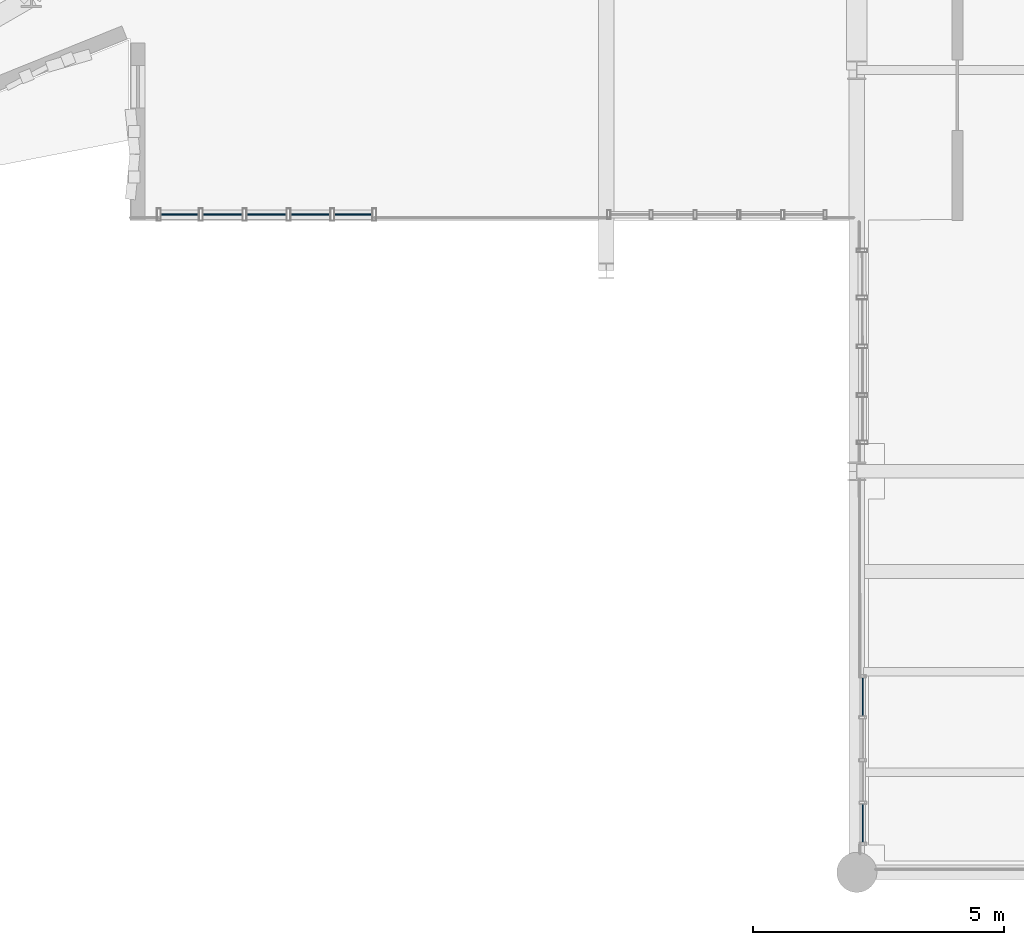
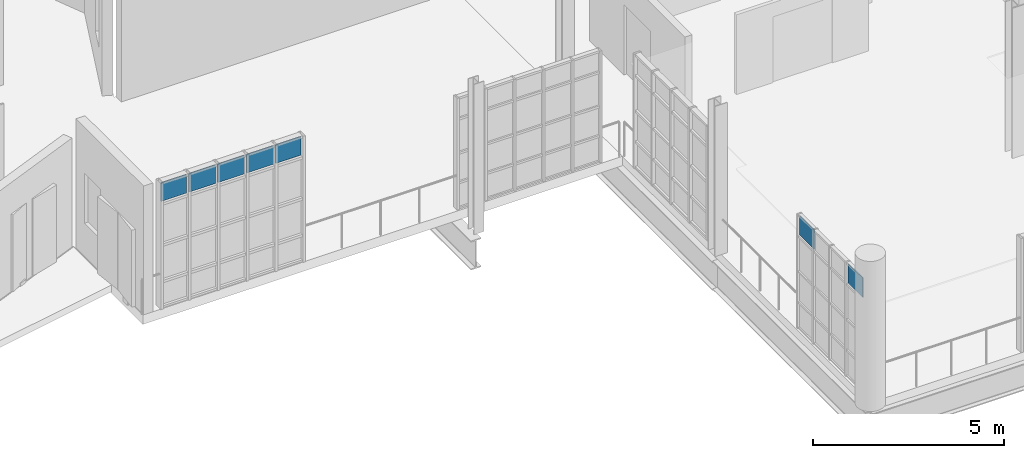
# One storey, part 95 of 122: 7 plates, 2 elements without a shape of their own.
"""IFC4 building model written with IfcOpenShell, lengths in metres."""

from ifc_helpers import new_model, si_unit, direction, frame, origin, origin_2d, place, context, subcontext, project, spatial, rectangle, extrude, material, layer, layer_set, type_object, element, aggregate, save


model = new_model("IFC4")

# Units and contexts
model_context = context("Model", 3, precision=1e-05, world=origin(), true_north=direction((0.0, 1.0)))
body_context = subcontext(model_context, "Body", "Model", "MODEL_VIEW")
ifc_project = project(units=[si_unit("LENGTHUNIT", "METRE"), si_unit("AREAUNIT", "SQUARE_METRE"), si_unit("VOLUMEUNIT", "CUBIC_METRE"), si_unit("PLANEANGLEUNIT", "RADIAN"), si_unit("MASSUNIT", "GRAM", prefix="KILO"), si_unit("THERMODYNAMICTEMPERATUREUNIT", "KELVIN"), si_unit("POWERUNIT", "WATT")], contexts=[model_context])

# Site, building, storey
site_placement = place(None, origin())
site = spatial("IfcSite", under=ifc_project, at=site_placement, CompositionType="ELEMENT")
building_placement = place(site_placement, origin())
building = spatial("IfcBuilding", under=site, at=building_placement, Name="Zelmaris Science Centre", CompositionType="ELEMENT")
storey_placement = place(building_placement, frame((0.0, 0.0, 10.800048828125)))
storey = spatial("IfcBuildingStorey", under=building, at=storey_placement, Name="L02", CompositionType="ELEMENT", Elevation=10.800048828125)

# Curtain wall, plates
ifc_material_1 = material(Name="Anodised architectural aluminium 6063-T6", Category="aluminium")
ifc_layer_1 = layer(ifc_material_1, 0.18994140625, Name="Anodised architectural aluminium 6063-T6")
ifc_layer_set_1 = layer_set([ifc_layer_1], Name="Anodised architectural aluminium 6063-T6")
curtain_wall_type_1 = type_object("IfcCurtainWallType", Name="Curtain Wall CW-01", PredefinedType="USERDEFINED", material=ifc_layer_set_1)
curtain_wall_1_placement = place(storey_placement, origin())
curtain_wall_1 = element("IfcCurtainWall", 1, at=curtain_wall_1_placement, inside=storey, type_object=curtain_wall_type_1, Name="L02 Unitised curtain wall 249", ObjectType="GLAZED CURTAIN WALL", PredefinedType="USERDEFINED")
ifc_material_2 = material(Name="Laminated hurricane-rated low-E insulated glazing", Category="glass")
ifc_layer_2 = layer(ifc_material_2, 0.031982421875, Name="Laminated hurricane-rated low-E insulated glazing")
ifc_layer_set_2 = layer_set([ifc_layer_2], Name="Laminated hurricane-rated low-E insulated glazing")
plate_type_1 = type_object("IfcPlateType", Name="Curtain Glazing Panel CWP-1 32mm", PredefinedType="CURTAIN_PANEL", material=ifc_layer_set_2)
plate_1_placement = place(storey_placement, frame((97.9580078125, 21.1201171875, 3.35595703125), z_axis=(0.0, 0.0, 1.0), x_axis=(-0.999999999739, 2.286603e-05, 0.0)))
plate_1 = element("IfcPlate", 2, at=plate_1_placement, type_object=plate_type_1, Name="CW-01 panel 1.4", PredefinedType="CURTAIN_PANEL", context=body_context, shape_type="SweptSolid", body=[
    extrude(rectangle(XDim=0.7666015625, YDim=0.031982421875, at=origin_2d()), origin(), (0.0, 0.0, 1.0), 0.592041015625),
])
plate_2_placement = place(storey_placement, frame((97.101318359375, 21.1201171875, 3.35595703125), z_axis=(0.0, 0.0, 1.0), x_axis=(-0.999999999739, 2.286603e-05, 0.0)))
plate_2 = element("IfcPlate", 3, at=plate_2_placement, type_object=plate_type_1, Name="CW-01 panel 2.4", PredefinedType="CURTAIN_PANEL", context=body_context, shape_type="SweptSolid", body=[
    extrude(rectangle(XDim=0.802734375, YDim=0.031982421875, at=origin_2d()), origin(), (0.0, 0.0, 1.0), 0.592041015625),
])
plate_3_placement = place(storey_placement, frame((96.226806640625, 21.1201171875, 3.35595703125), z_axis=(0.0, 0.0, 1.0), x_axis=(-0.999999999739, 2.286603e-05, 0.0)))
plate_3 = element("IfcPlate", 4, at=plate_3_placement, type_object=plate_type_1, Name="CW-01 panel 3.4", PredefinedType="CURTAIN_PANEL", context=body_context, shape_type="SweptSolid", body=[
    extrude(rectangle(XDim=0.802734375, YDim=0.031982421875, at=origin_2d()), origin(), (0.0, 0.0, 1.0), 0.592041015625),
])
plate_4_placement = place(storey_placement, frame((95.35205078125, 21.1201171875, 3.35595703125), z_axis=(0.0, 0.0, 1.0), x_axis=(-0.999999999739, 2.286603e-05, 0.0)))
plate_4 = element("IfcPlate", 5, at=plate_4_placement, type_object=plate_type_1, Name="CW-01 panel 4.4", PredefinedType="CURTAIN_PANEL", context=body_context, shape_type="SweptSolid", body=[
    extrude(rectangle(XDim=0.802734375, YDim=0.031982421875, at=origin_2d()), origin(), (0.0, 0.0, 1.0), 0.592041015625),
])
plate_5_placement = place(storey_placement, frame((94.495361328125, 21.1201171875, 3.35595703125), z_axis=(0.0, 0.0, 1.0), x_axis=(-0.999999999739, 2.286603e-05, 0.0)))
plate_5 = element("IfcPlate", 6, at=plate_5_placement, type_object=plate_type_1, Name="CW-01 panel 5.4", PredefinedType="CURTAIN_PANEL", context=body_context, shape_type="SweptSolid", body=[
    extrude(rectangle(XDim=0.7666015625, YDim=0.031982421875, at=origin_2d()), origin(), (0.0, 0.0, 1.0), 0.592041015625),
])
aggregate(curtain_wall_1, [plate_1, plate_2, plate_3, plate_4, plate_5])

ifc_layer_3 = layer(ifc_material_1, 0.219970703125, Name="Anodised architectural aluminium 6063-T6")
ifc_layer_set_3 = layer_set([ifc_layer_3], Name="Anodised architectural aluminium 6063-T6")
curtain_wall_type_2 = type_object("IfcCurtainWallType", Name="Curtain Wall CW-04", PredefinedType="USERDEFINED", material=ifc_layer_set_3)
curtain_wall_2_placement = place(storey_placement, origin())
curtain_wall_2 = element("IfcCurtainWall", 7, at=curtain_wall_2_placement, inside=storey, type_object=curtain_wall_type_2, Name="L02 Unitised curtain wall 244", ObjectType="GLAZED CURTAIN WALL", PredefinedType="USERDEFINED")
ifc_layer_4 = layer(ifc_material_2, 0.02392578125, Name="Laminated hurricane-rated low-E insulated glazing")
ifc_layer_set_4 = layer_set([ifc_layer_4], Name="Laminated hurricane-rated low-E insulated glazing")
plate_type_2 = type_object("IfcPlateType", Name="Curtain Glazing Panel CWP-4 24mm", PredefinedType="CURTAIN_PANEL", material=ifc_layer_set_4)
plate_6_placement = place(storey_placement, frame((108.119140625, 8.978271484375, 2.969970703125), z_axis=(0.0, 0.0, 1.0), x_axis=(-0.001058854076, 0.999999439414, 0.0)))
plate_6 = element("IfcPlate", 8, at=plate_6_placement, type_object=plate_type_2, Name="CW-04 panel 1.4", PredefinedType="CURTAIN_PANEL", context=body_context, shape_type="SweptSolid", body=[
    extrude(rectangle(XDim=0.77197265625, YDim=0.02392578125, at=origin_2d()), origin(), (0.0, 0.0, 1.0), 0.6220703125),
])
plate_7_placement = place(storey_placement, frame((108.116455078125, 11.502197265625, 2.969970703125), z_axis=(0.0, 0.0, 1.0), x_axis=(-0.001058854076, 0.999999439414, 0.0)))
plate_7 = element("IfcPlate", 9, at=plate_7_placement, type_object=plate_type_2, Name="CW-04 panel 4.4", PredefinedType="CURTAIN_PANEL", context=body_context, shape_type="SweptSolid", body=[
    extrude(rectangle(XDim=0.77197265625, YDim=0.02392578125, at=origin_2d()), origin(), (0.0, 0.0, 1.0), 0.6220703125),
])
aggregate(curtain_wall_2, [plate_6, plate_7])

save(model, "model.ifc")
